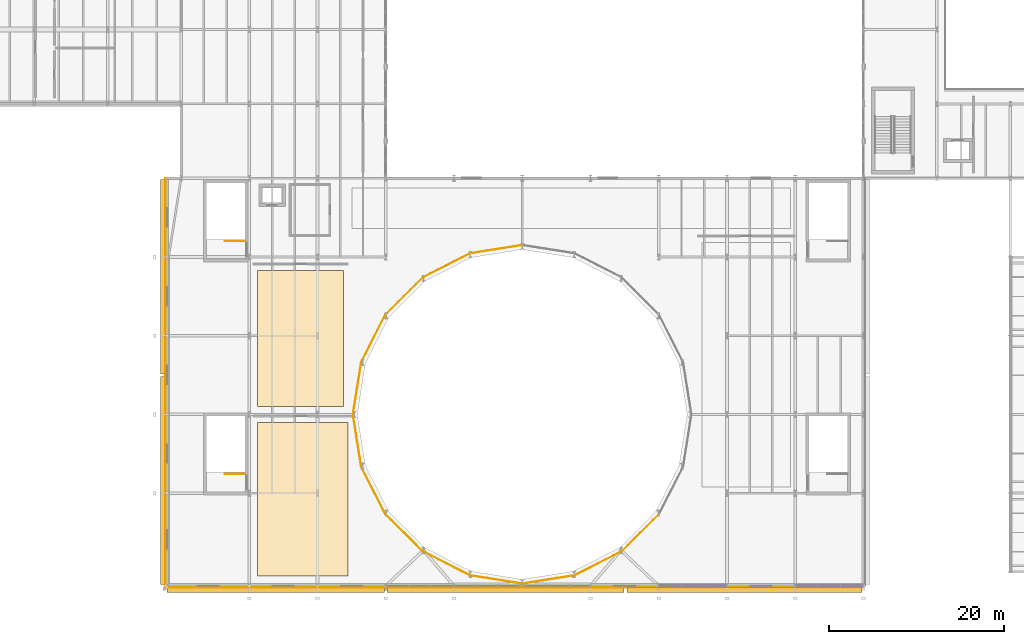
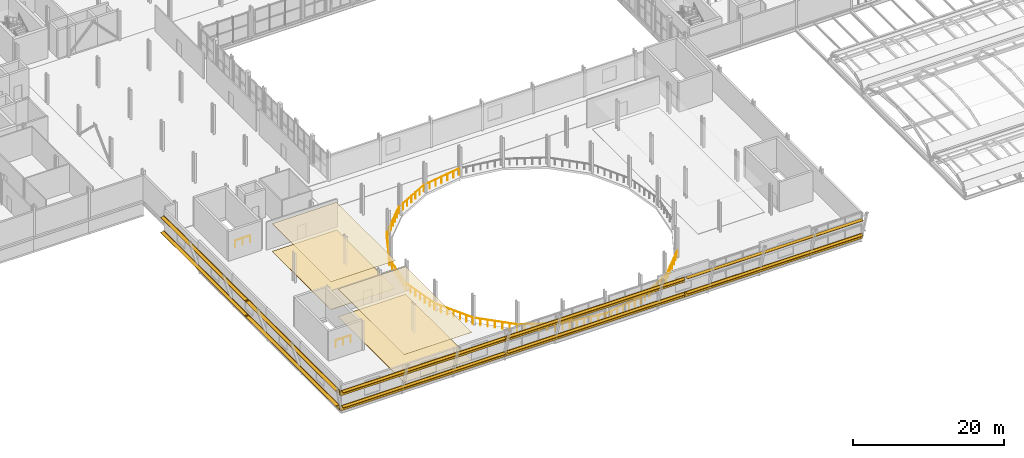
# One storey, part 56 of 63: 15 railings, 13 coverings, 10 shading devices.
"""IFC4 building model written with IfcOpenShell, lengths in metres."""

from ifc_helpers import new_model, si_unit, direction, frame, origin, origin_2d, place, context, subcontext, project, spatial, polyline, rectangle, circle, outline, extrude, material, layer, layer_set, type_object, element, save


model = new_model("IFC4")

# Units and contexts
model_context = context("Model", 3, precision=1e-05, world=origin(), true_north=direction((0.0, 1.0)))
body_context = subcontext(model_context, "Body", "Model", "MODEL_VIEW")
ifc_project = project(units=[si_unit("LENGTHUNIT", "METRE"), si_unit("AREAUNIT", "SQUARE_METRE"), si_unit("VOLUMEUNIT", "CUBIC_METRE"), si_unit("PLANEANGLEUNIT", "RADIAN"), si_unit("MASSUNIT", "GRAM", prefix="KILO")], contexts=[model_context])

# Site, building, storey
site_placement = place(None, origin())
site = spatial("IfcSite", under=ifc_project, at=site_placement, CompositionType="ELEMENT")
building_placement = place(site_placement, origin())
building = spatial("IfcBuilding", under=site, at=building_placement, Name="Sefraquen Railside Congress Hotel", CompositionType="ELEMENT")
storey_placement = place(building_placement, frame((0.0, 0.0, 11.39990234375)))
storey = spatial("IfcBuildingStorey", under=building, at=storey_placement, Name="L02", CompositionType="ELEMENT", Elevation=11.39990234375)

# Coverings
ifc_material_1 = material(Name="Acoustic mineral and carved plaster ceiling", Category="gypsum")
ifc_layer_1 = layer(ifc_material_1, 0.0400390625)
ifc_layer_set_1 = layer_set([ifc_layer_1], Name="Acoustic mineral and carved plaster ceiling")
covering_type_1 = type_object("IfcCoveringType", Name="TCV-CEIL-01", PredefinedType="CEILING", material=ifc_layer_set_1)
covering_1_placement = place(storey_placement, frame((0.0, 0.0, 4.47998046875)))
element("IfcCovering", 1, at=covering_1_placement, inside=storey, type_object=covering_type_1, Name="International Press Briefing Centre acoustic ceiling finish", PredefinedType="CEILING", context=body_context, shape_type="SweptSolid", body=[
    extrude(outline(polyline([(33.929931640625, 8.530029296875), (44.27001953125, 8.530029296875), (44.27001953125, 26.070068359375), (33.929931640625, 26.070068359375), (33.929931640625, 8.530029296875)])), origin(), (0.0, 0.0, 1.0), 0.0400390625),
])
covering_2_placement = place(storey_placement, frame((0.0, 0.0, 4.47998046875)))
element("IfcCovering", 2, at=covering_2_placement, inside=storey, type_object=covering_type_1, Name="Broadcast Control Room 01 acoustic ceiling finish", PredefinedType="CEILING", context=body_context, shape_type="SweptSolid", body=[
    extrude(outline(polyline([(33.929931640625, 27.929931640625), (43.77001953125, 27.929931640625), (43.77001953125, 43.469970703125), (33.929931640625, 43.469970703125), (33.929931640625, 27.929931640625)])), origin(), (0.0, 0.0, 1.0), 0.0400390625),
])
ifc_material_2 = material(Name="Patinated architectural bronze", Category="metal")
ifc_layer_2 = layer(ifc_material_2, 0.080078125)
ifc_layer_set_2 = layer_set([ifc_layer_2], Name="Patinated architectural bronze")
covering_type_2 = type_object("IfcCoveringType", Name="TCV-CLAD-01", PredefinedType="CLADDING", material=ifc_layer_set_2)
covering_3_placement = place(storey_placement, frame((36.01513671875, 7.23046875, -0.10498046875), z_axis=(0.0, 0.0, 1.0), x_axis=(1.0, 0.0, 0.0)))
element("IfcCovering", 3, at=covering_3_placement, inside=storey, type_object=covering_type_2, Name="Congress horizontal bronze cladding band L02-S1", PredefinedType="CLADDING", context=body_context, shape_type="SweptSolid", body=[
    extrude(rectangle(XDim=25.169677734375, YDim=0.080078125, at=origin_2d()), origin(), (0.0, 0.0, 1.0), 0.85009765625),
])
covering_4_placement = place(storey_placement, frame((62.300048828125, 7.23046875, -0.10498046875), z_axis=(0.0, 0.0, 1.0), x_axis=(1.0, 0.0, 0.0)))
element("IfcCovering", 4, at=covering_4_placement, inside=storey, type_object=covering_type_2, Name="Congress horizontal bronze cladding band L02-S2", PredefinedType="CLADDING", context=body_context, shape_type="SweptSolid", body=[
    extrude(rectangle(XDim=27.39990234375, YDim=0.080078125, at=origin_2d()), origin(), (0.0, 0.0, 1.0), 0.85009765625),
])
covering_5_placement = place(storey_placement, frame((89.60009765625, 7.23046875, -0.10498046875), z_axis=(0.0, 0.0, 1.0), x_axis=(1.0, 0.0, 0.0)))
element("IfcCovering", 5, at=covering_5_placement, inside=storey, type_object=covering_type_2, Name="Congress horizontal bronze cladding band L02-S3", PredefinedType="CLADDING", context=body_context, shape_type="SweptSolid", body=[
    extrude(rectangle(XDim=27.199951171875, YDim=0.080078125, at=origin_2d()), origin(), (0.0, 0.0, 1.0), 0.85009765625),
])
covering_6_placement = place(storey_placement, frame((23.430419921875, 19.4501953125, -0.10498046875), z_axis=(0.0, 0.0, 1.0), x_axis=(1.0, 0.0, 0.0)))
element("IfcCovering", 6, at=covering_6_placement, inside=storey, type_object=covering_type_2, Name="Congress horizontal bronze cladding band L02-W1", PredefinedType="CLADDING", context=body_context, shape_type="SweptSolid", body=[
    extrude(rectangle(XDim=0.080078125, YDim=24.099609375, at=origin_2d()), origin(), (0.0, 0.0, 1.0), 0.85009765625),
])
covering_7_placement = place(storey_placement, frame((23.430419921875, 42.75, -0.10498046875), z_axis=(0.0, 0.0, 1.0), x_axis=(1.0, 0.0, 0.0)))
element("IfcCovering", 7, at=covering_7_placement, inside=storey, type_object=covering_type_2, Name="Congress horizontal bronze cladding band L02-W2", PredefinedType="CLADDING", context=body_context, shape_type="SweptSolid", body=[
    extrude(rectangle(XDim=0.080078125, YDim=22.5, at=origin_2d()), origin(), (0.0, 0.0, 1.0), 0.85009765625),
])
covering_8_placement = place(storey_placement, frame((36.01513671875, 7.23046875, 2.324951171875), z_axis=(0.0, 0.0, 1.0), x_axis=(1.0, 0.0, 0.0)))
element("IfcCovering", 8, at=covering_8_placement, inside=storey, type_object=covering_type_2, Name="Congress horizontal bronze cladding band L02-S1-B", PredefinedType="CLADDING", context=body_context, shape_type="SweptSolid", body=[
    extrude(rectangle(XDim=25.169677734375, YDim=0.080078125, at=origin_2d()), origin(), (0.0, 0.0, 1.0), 0.85009765625),
])
covering_9_placement = place(storey_placement, frame((62.300048828125, 7.23046875, 2.324951171875), z_axis=(0.0, 0.0, 1.0), x_axis=(1.0, 0.0, 0.0)))
element("IfcCovering", 9, at=covering_9_placement, inside=storey, type_object=covering_type_2, Name="Congress horizontal bronze cladding band L02-S2-B", PredefinedType="CLADDING", context=body_context, shape_type="SweptSolid", body=[
    extrude(rectangle(XDim=27.39990234375, YDim=0.080078125, at=origin_2d()), origin(), (0.0, 0.0, 1.0), 0.85009765625),
])
covering_10_placement = place(storey_placement, frame((23.430419921875, 19.4501953125, 2.324951171875), z_axis=(0.0, 0.0, 1.0), x_axis=(1.0, 0.0, 0.0)))
element("IfcCovering", 10, at=covering_10_placement, inside=storey, type_object=covering_type_2, Name="Congress horizontal bronze cladding band L02-W1-B", PredefinedType="CLADDING", context=body_context, shape_type="SweptSolid", body=[
    extrude(rectangle(XDim=0.080078125, YDim=24.099609375, at=origin_2d()), origin(), (0.0, 0.0, 1.0), 0.85009765625),
])
covering_11_placement = place(storey_placement, frame((23.430419921875, 42.75, 2.324951171875), z_axis=(0.0, 0.0, 1.0), x_axis=(1.0, 0.0, 0.0)))
element("IfcCovering", 11, at=covering_11_placement, inside=storey, type_object=covering_type_2, Name="Congress horizontal bronze cladding band L02-W2-B", PredefinedType="CLADDING", context=body_context, shape_type="SweptSolid", body=[
    extrude(rectangle(XDim=0.080078125, YDim=22.5, at=origin_2d()), origin(), (0.0, 0.0, 1.0), 0.85009765625),
])
ifc_material_3 = material(Name="Moroccan zellige ceramic and honed stone flooring", Category="masonry")
ifc_layer_3 = layer(ifc_material_3, 0.0400390625)
ifc_layer_set_3 = layer_set([ifc_layer_3], Name="Moroccan zellige ceramic and honed stone flooring")
covering_type_3 = type_object("IfcCoveringType", Name="TCV-FLR-01", PredefinedType="FLOORING", material=ifc_layer_set_3)
covering_12_placement = place(storey_placement, origin())
element("IfcCovering", 12, at=covering_12_placement, inside=storey, type_object=covering_type_3, Name="International Press Briefing Centre architectural floor finish", PredefinedType="FLOORING", context=body_context, shape_type="SweptSolid", body=[
    extrude(outline(polyline([(33.929931640625, 8.530029296875), (44.27001953125, 8.530029296875), (44.27001953125, 26.070068359375), (33.929931640625, 26.070068359375), (33.929931640625, 8.530029296875)])), origin(), (0.0, 0.0, 1.0), 0.0400390625),
])
covering_13_placement = place(storey_placement, origin())
element("IfcCovering", 13, at=covering_13_placement, inside=storey, type_object=covering_type_3, Name="Broadcast Control Room 01 architectural floor finish", PredefinedType="FLOORING", context=body_context, shape_type="SweptSolid", body=[
    extrude(outline(polyline([(33.929931640625, 27.929931640625), (43.77001953125, 27.929931640625), (43.77001953125, 43.469970703125), (33.929931640625, 43.469970703125), (33.929931640625, 27.929931640625)])), origin(), (0.0, 0.0, 1.0), 0.0400390625),
])

# Railings
ifc_material_4 = material(Name="Patinated wrought architectural bronze", Category="metal")
railing_type = type_object("IfcRailingType", Name="TRL-BAL-110", PredefinedType="BALUSTRADE", material=ifc_material_4)
railing_1_placement = place(storey_placement, frame((64.199951171875, 46.35009765625, 0.0)))
element("IfcRailing", 14, at=railing_1_placement, inside=storey, type_object=railing_type, Name="Congress Hall L02 upper gallery acoustic guard", PredefinedType="BALUSTRADE", context=body_context, shape_type="SweptSolid", body=[
    extrude(circle(Radius=0.02392578125, at=origin_2d()), frame((0.0, 0.0, 1.09619140625), z_axis=(-0.987683054498, -0.156467836496, 0.0), x_axis=(0.156467836496, -0.987683054498, 0.0)), (0.0, 0.0, 1.0), 6.053955078125),
    extrude(circle(Radius=0.02099609375, at=origin_2d()), origin(), (0.0, 0.0, 1.0), 1.072021484375),
    extrude(circle(Radius=0.02099609375, at=origin_2d()), frame((-0.99658203125, -0.157958984375, 0.0)), (0.0, 0.0, 1.0), 1.072021484375),
    extrude(circle(Radius=0.02099609375, at=origin_2d()), frame((-1.9931640625, -0.315673828125, 0.0)), (0.0, 0.0, 1.0), 1.072021484375),
    extrude(circle(Radius=0.02099609375, at=origin_2d()), frame((-2.98974609375, -0.4736328125, 0.0)), (0.0, 0.0, 1.0), 1.072021484375),
    extrude(circle(Radius=0.02099609375, at=origin_2d()), frame((-3.986328125, -0.631591796875, 0.0)), (0.0, 0.0, 1.0), 1.072021484375),
    extrude(circle(Radius=0.02099609375, at=origin_2d()), frame((-4.98291015625, -0.789306640625, 0.0)), (0.0, 0.0, 1.0), 1.072021484375),
    extrude(circle(Radius=0.02099609375, at=origin_2d()), frame((-5.9794921875, -0.947265625, 0.0)), (0.0, 0.0, 1.0), 1.072021484375),
])
railing_2_placement = place(storey_placement, frame((58.220458984375, 45.40283203125, 0.0)))
element("IfcRailing", 15, at=railing_2_placement, inside=storey, type_object=railing_type, Name="Congress Hall L02 upper gallery acoustic guard", PredefinedType="BALUSTRADE", context=body_context, shape_type="SweptSolid", body=[
    extrude(circle(Radius=0.02392578125, at=origin_2d()), frame((0.0, 0.0, 1.09619140625), z_axis=(-0.891013951138, -0.453975923235, 0.0), x_axis=(0.453975923235, -0.891013951138, 0.0)), (0.0, 0.0, 1.0), 6.0537109375),
    extrude(circle(Radius=0.02099609375, at=origin_2d()), origin(), (0.0, 0.0, 1.0), 1.072021484375),
    extrude(circle(Radius=0.02099609375, at=origin_2d()), frame((-0.89892578125, -0.4580078125, 0.0)), (0.0, 0.0, 1.0), 1.072021484375),
    extrude(circle(Radius=0.02099609375, at=origin_2d()), frame((-1.798095703125, -0.916015625, 0.0)), (0.0, 0.0, 1.0), 1.072021484375),
    extrude(circle(Radius=0.02099609375, at=origin_2d()), frame((-2.697021484375, -1.3740234375, 0.0)), (0.0, 0.0, 1.0), 1.072021484375),
    extrude(circle(Radius=0.02099609375, at=origin_2d()), frame((-3.595947265625, -1.832275390625, 0.0)), (0.0, 0.0, 1.0), 1.072021484375),
    extrude(circle(Radius=0.02099609375, at=origin_2d()), frame((-4.4951171875, -2.290283203125, 0.0)), (0.0, 0.0, 1.0), 1.072021484375),
    extrude(circle(Radius=0.02099609375, at=origin_2d()), frame((-5.39404296875, -2.748291015625, 0.0)), (0.0, 0.0, 1.0), 1.072021484375),
])
railing_3_placement = place(storey_placement, frame((52.826416015625, 42.654541015625, 0.0)))
element("IfcRailing", 16, at=railing_3_placement, inside=storey, type_object=railing_type, Name="Congress Hall L02 upper gallery acoustic guard", PredefinedType="BALUSTRADE", context=body_context, shape_type="SweptSolid", body=[
    extrude(circle(Radius=0.02392578125, at=origin_2d()), frame((0.0, 0.0, 1.09619140625), z_axis=(-0.707106781187, -0.707106781187, 0.0), x_axis=(0.707106781187, -0.707106781187, 0.0)), (0.0, 0.0, 1.0), 6.05419921875),
    extrude(circle(Radius=0.02099609375, at=origin_2d()), origin(), (0.0, 0.0, 1.0), 1.072021484375),
    extrude(circle(Radius=0.02099609375, at=origin_2d()), frame((-0.71337890625, -0.71337890625, 0.0)), (0.0, 0.0, 1.0), 1.072021484375),
    extrude(circle(Radius=0.02099609375, at=origin_2d()), frame((-1.427001953125, -1.427001953125, 0.0)), (0.0, 0.0, 1.0), 1.072021484375),
    extrude(circle(Radius=0.02099609375, at=origin_2d()), frame((-2.140625, -2.140625, 0.0)), (0.0, 0.0, 1.0), 1.072021484375),
    extrude(circle(Radius=0.02099609375, at=origin_2d()), frame((-2.85400390625, -2.85400390625, 0.0)), (0.0, 0.0, 1.0), 1.072021484375),
    extrude(circle(Radius=0.02099609375, at=origin_2d()), frame((-3.5673828125, -3.5673828125, 0.0)), (0.0, 0.0, 1.0), 1.072021484375),
    extrude(circle(Radius=0.02099609375, at=origin_2d()), frame((-4.281005859375, -4.281005859375, 0.0)), (0.0, 0.0, 1.0), 1.072021484375),
])
railing_4_placement = place(storey_placement, frame((48.54541015625, 38.37353515625, 0.0)))
element("IfcRailing", 17, at=railing_4_placement, inside=storey, type_object=railing_type, Name="Congress Hall L02 upper gallery acoustic guard", PredefinedType="BALUSTRADE", context=body_context, shape_type="SweptSolid", body=[
    extrude(circle(Radius=0.02392578125, at=origin_2d()), frame((0.0, 0.0, 1.09619140625), z_axis=(-0.453975923235, -0.891013951138, 0.0), x_axis=(0.891013951138, -0.453975923235, 0.0)), (0.0, 0.0, 1.0), 6.0537109375),
    extrude(circle(Radius=0.02099609375, at=origin_2d()), origin(), (0.0, 0.0, 1.0), 1.072021484375),
    extrude(circle(Radius=0.02099609375, at=origin_2d()), frame((-0.4580078125, -0.89892578125, 0.0)), (0.0, 0.0, 1.0), 1.072021484375),
    extrude(circle(Radius=0.02099609375, at=origin_2d()), frame((-0.916015625, -1.798095703125, 0.0)), (0.0, 0.0, 1.0), 1.072021484375),
    extrude(circle(Radius=0.02099609375, at=origin_2d()), frame((-1.3740234375, -2.697021484375, 0.0)), (0.0, 0.0, 1.0), 1.072021484375),
    extrude(circle(Radius=0.02099609375, at=origin_2d()), frame((-1.832275390625, -3.595947265625, 0.0)), (0.0, 0.0, 1.0), 1.072021484375),
    extrude(circle(Radius=0.02099609375, at=origin_2d()), frame((-2.290283203125, -4.4951171875, 0.0)), (0.0, 0.0, 1.0), 1.072021484375),
    extrude(circle(Radius=0.02099609375, at=origin_2d()), frame((-2.748291015625, -5.39404296875, 0.0)), (0.0, 0.0, 1.0), 1.072021484375),
])
railing_5_placement = place(storey_placement, frame((45.797119140625, 32.9794921875, 0.0)))
element("IfcRailing", 18, at=railing_5_placement, inside=storey, type_object=railing_type, Name="Congress Hall L02 upper gallery acoustic guard", PredefinedType="BALUSTRADE", context=body_context, shape_type="SweptSolid", body=[
    extrude(circle(Radius=0.02392578125, at=origin_2d()), frame((0.0, 0.0, 1.09619140625), z_axis=(-0.156428496649, -0.987689285877, 0.0), x_axis=(0.987689285877, -0.156428496649, 0.0)), (0.0, 0.0, 1.0), 6.053955078125),
    extrude(circle(Radius=0.02099609375, at=origin_2d()), origin(), (0.0, 0.0, 1.0), 1.072021484375),
    extrude(circle(Radius=0.02099609375, at=origin_2d()), frame((-0.15771484375, -0.99658203125, 0.0)), (0.0, 0.0, 1.0), 1.072021484375),
    extrude(circle(Radius=0.02099609375, at=origin_2d()), frame((-0.315673828125, -1.9931640625, 0.0)), (0.0, 0.0, 1.0), 1.072021484375),
    extrude(circle(Radius=0.02099609375, at=origin_2d()), frame((-0.4736328125, -2.98974609375, 0.0)), (0.0, 0.0, 1.0), 1.072021484375),
    extrude(circle(Radius=0.02099609375, at=origin_2d()), frame((-0.63134765625, -3.986328125, 0.0)), (0.0, 0.0, 1.0), 1.072021484375),
    extrude(circle(Radius=0.02099609375, at=origin_2d()), frame((-0.7890625, -4.98291015625, 0.0)), (0.0, 0.0, 1.0), 1.072021484375),
    extrude(circle(Radius=0.02099609375, at=origin_2d()), frame((-0.947021484375, -5.9794921875, 0.0)), (0.0, 0.0, 1.0), 1.072021484375),
])
railing_6_placement = place(storey_placement, frame((44.85009765625, 27.0, 0.0)))
element("IfcRailing", 19, at=railing_6_placement, inside=storey, type_object=railing_type, Name="Congress Hall L02 upper gallery acoustic guard", PredefinedType="BALUSTRADE", context=body_context, shape_type="SweptSolid", body=[
    extrude(circle(Radius=0.02392578125, at=origin_2d()), frame((0.0, 0.0, 1.09619140625), z_axis=(0.156428496649, -0.987689285877, 0.0), x_axis=(0.987689285877, 0.156428496649, 0.0)), (0.0, 0.0, 1.0), 6.053955078125),
    extrude(circle(Radius=0.02099609375, at=origin_2d()), origin(), (0.0, 0.0, 1.0), 1.072021484375),
    extrude(circle(Radius=0.02099609375, at=origin_2d()), frame((0.15771484375, -0.99658203125, 0.0)), (0.0, 0.0, 1.0), 1.072021484375),
    extrude(circle(Radius=0.02099609375, at=origin_2d()), frame((0.315673828125, -1.9931640625, 0.0)), (0.0, 0.0, 1.0), 1.072021484375),
    extrude(circle(Radius=0.02099609375, at=origin_2d()), frame((0.4736328125, -2.98974609375, 0.0)), (0.0, 0.0, 1.0), 1.072021484375),
    extrude(circle(Radius=0.02099609375, at=origin_2d()), frame((0.63134765625, -3.986328125, 0.0)), (0.0, 0.0, 1.0), 1.072021484375),
    extrude(circle(Radius=0.02099609375, at=origin_2d()), frame((0.7890625, -4.98291015625, 0.0)), (0.0, 0.0, 1.0), 1.072021484375),
    extrude(circle(Radius=0.02099609375, at=origin_2d()), frame((0.947021484375, -5.9794921875, 0.0)), (0.0, 0.0, 1.0), 1.072021484375),
])
railing_7_placement = place(storey_placement, frame((45.797119140625, 21.0205078125, 0.0)))
element("IfcRailing", 20, at=railing_7_placement, inside=storey, type_object=railing_type, Name="Congress Hall L02 upper gallery acoustic guard", PredefinedType="BALUSTRADE", context=body_context, shape_type="SweptSolid", body=[
    extrude(circle(Radius=0.02392578125, at=origin_2d()), frame((0.0, 0.0, 1.09619140625), z_axis=(0.453975923235, -0.891013951138, 0.0), x_axis=(0.891013951138, 0.453975923235, 0.0)), (0.0, 0.0, 1.0), 6.0537109375),
    extrude(circle(Radius=0.02099609375, at=origin_2d()), origin(), (0.0, 0.0, 1.0), 1.072021484375),
    extrude(circle(Radius=0.02099609375, at=origin_2d()), frame((0.4580078125, -0.89892578125, 0.0)), (0.0, 0.0, 1.0), 1.072021484375),
    extrude(circle(Radius=0.02099609375, at=origin_2d()), frame((0.916015625, -1.798095703125, 0.0)), (0.0, 0.0, 1.0), 1.072021484375),
    extrude(circle(Radius=0.02099609375, at=origin_2d()), frame((1.3740234375, -2.697021484375, 0.0)), (0.0, 0.0, 1.0), 1.072021484375),
    extrude(circle(Radius=0.02099609375, at=origin_2d()), frame((1.832275390625, -3.595947265625, 0.0)), (0.0, 0.0, 1.0), 1.072021484375),
    extrude(circle(Radius=0.02099609375, at=origin_2d()), frame((2.290283203125, -4.4951171875, 0.0)), (0.0, 0.0, 1.0), 1.072021484375),
    extrude(circle(Radius=0.02099609375, at=origin_2d()), frame((2.748291015625, -5.39404296875, 0.0)), (0.0, 0.0, 1.0), 1.072021484375),
])
railing_8_placement = place(storey_placement, frame((48.54541015625, 15.62646484375, 0.0)))
element("IfcRailing", 21, at=railing_8_placement, inside=storey, type_object=railing_type, Name="Congress Hall L02 upper gallery acoustic guard", PredefinedType="BALUSTRADE", context=body_context, shape_type="SweptSolid", body=[
    extrude(circle(Radius=0.02392578125, at=origin_2d()), frame((0.0, 0.0, 1.09619140625), z_axis=(0.707106781187, -0.707106781187, 0.0), x_axis=(0.707106781187, 0.707106781187, 0.0)), (0.0, 0.0, 1.0), 6.05419921875),
    extrude(circle(Radius=0.02099609375, at=origin_2d()), origin(), (0.0, 0.0, 1.0), 1.072021484375),
    extrude(circle(Radius=0.02099609375, at=origin_2d()), frame((0.71337890625, -0.71337890625, 0.0)), (0.0, 0.0, 1.0), 1.072021484375),
    extrude(circle(Radius=0.02099609375, at=origin_2d()), frame((1.427001953125, -1.427001953125, 0.0)), (0.0, 0.0, 1.0), 1.072021484375),
    extrude(circle(Radius=0.02099609375, at=origin_2d()), frame((2.140625, -2.140625, 0.0)), (0.0, 0.0, 1.0), 1.072021484375),
    extrude(circle(Radius=0.02099609375, at=origin_2d()), frame((2.85400390625, -2.85400390625, 0.0)), (0.0, 0.0, 1.0), 1.072021484375),
    extrude(circle(Radius=0.02099609375, at=origin_2d()), frame((3.5673828125, -3.5673828125, 0.0)), (0.0, 0.0, 1.0), 1.072021484375),
    extrude(circle(Radius=0.02099609375, at=origin_2d()), frame((4.281005859375, -4.281005859375, 0.0)), (0.0, 0.0, 1.0), 1.072021484375),
])
railing_9_placement = place(storey_placement, frame((52.826416015625, 11.345458984375, 0.0)))
element("IfcRailing", 22, at=railing_9_placement, inside=storey, type_object=railing_type, Name="Congress Hall L02 upper gallery acoustic guard", PredefinedType="BALUSTRADE", context=body_context, shape_type="SweptSolid", body=[
    extrude(circle(Radius=0.02392578125, at=origin_2d()), frame((0.0, 0.0, 1.09619140625), z_axis=(0.891013951138, -0.453975923235, 0.0), x_axis=(0.453975923235, 0.891013951138, 0.0)), (0.0, 0.0, 1.0), 6.0537109375),
    extrude(circle(Radius=0.02099609375, at=origin_2d()), origin(), (0.0, 0.0, 1.0), 1.072021484375),
    extrude(circle(Radius=0.02099609375, at=origin_2d()), frame((0.89892578125, -0.4580078125, 0.0)), (0.0, 0.0, 1.0), 1.072021484375),
    extrude(circle(Radius=0.02099609375, at=origin_2d()), frame((1.798095703125, -0.916015625, 0.0)), (0.0, 0.0, 1.0), 1.072021484375),
    extrude(circle(Radius=0.02099609375, at=origin_2d()), frame((2.697021484375, -1.3740234375, 0.0)), (0.0, 0.0, 1.0), 1.072021484375),
    extrude(circle(Radius=0.02099609375, at=origin_2d()), frame((3.595947265625, -1.832275390625, 0.0)), (0.0, 0.0, 1.0), 1.072021484375),
    extrude(circle(Radius=0.02099609375, at=origin_2d()), frame((4.4951171875, -2.290283203125, 0.0)), (0.0, 0.0, 1.0), 1.072021484375),
    extrude(circle(Radius=0.02099609375, at=origin_2d()), frame((5.39404296875, -2.748291015625, 0.0)), (0.0, 0.0, 1.0), 1.072021484375),
])
railing_10_placement = place(storey_placement, frame((58.220458984375, 8.59716796875, 0.0)))
element("IfcRailing", 23, at=railing_10_placement, inside=storey, type_object=railing_type, Name="Congress Hall L02 upper gallery acoustic guard", PredefinedType="BALUSTRADE", context=body_context, shape_type="SweptSolid", body=[
    extrude(circle(Radius=0.02392578125, at=origin_2d()), frame((0.0, 0.0, 1.09619140625), z_axis=(0.987683054498, -0.156467836496, 0.0), x_axis=(0.156467836496, 0.987683054498, 0.0)), (0.0, 0.0, 1.0), 6.053955078125),
    extrude(circle(Radius=0.02099609375, at=origin_2d()), origin(), (0.0, 0.0, 1.0), 1.072021484375),
    extrude(circle(Radius=0.02099609375, at=origin_2d()), frame((0.99658203125, -0.157958984375, 0.0)), (0.0, 0.0, 1.0), 1.072021484375),
    extrude(circle(Radius=0.02099609375, at=origin_2d()), frame((1.9931640625, -0.315673828125, 0.0)), (0.0, 0.0, 1.0), 1.072021484375),
    extrude(circle(Radius=0.02099609375, at=origin_2d()), frame((2.98974609375, -0.4736328125, 0.0)), (0.0, 0.0, 1.0), 1.072021484375),
    extrude(circle(Radius=0.02099609375, at=origin_2d()), frame((3.986328125, -0.631591796875, 0.0)), (0.0, 0.0, 1.0), 1.072021484375),
    extrude(circle(Radius=0.02099609375, at=origin_2d()), frame((4.98291015625, -0.789306640625, 0.0)), (0.0, 0.0, 1.0), 1.072021484375),
    extrude(circle(Radius=0.02099609375, at=origin_2d()), frame((5.9794921875, -0.947265625, 0.0)), (0.0, 0.0, 1.0), 1.072021484375),
])
railing_11_placement = place(storey_placement, frame((64.199951171875, 7.64990234375, 0.0)))
element("IfcRailing", 24, at=railing_11_placement, inside=storey, type_object=railing_type, Name="Congress Hall L02 upper gallery acoustic guard", PredefinedType="BALUSTRADE", context=body_context, shape_type="SweptSolid", body=[
    extrude(circle(Radius=0.02392578125, at=origin_2d()), frame((0.0, 0.0, 1.09619140625), z_axis=(0.987683054498, 0.156467836496, 0.0), x_axis=(-0.156467836496, 0.987683054498, 0.0)), (0.0, 0.0, 1.0), 6.053955078125),
    extrude(circle(Radius=0.02099609375, at=origin_2d()), origin(), (0.0, 0.0, 1.0), 1.072021484375),
    extrude(circle(Radius=0.02099609375, at=origin_2d()), frame((0.99658203125, 0.157958984375, 0.0)), (0.0, 0.0, 1.0), 1.072021484375),
    extrude(circle(Radius=0.02099609375, at=origin_2d()), frame((1.9931640625, 0.315673828125, 0.0)), (0.0, 0.0, 1.0), 1.072021484375),
    extrude(circle(Radius=0.02099609375, at=origin_2d()), frame((2.98974609375, 0.4736328125, 0.0)), (0.0, 0.0, 1.0), 1.072021484375),
    extrude(circle(Radius=0.02099609375, at=origin_2d()), frame((3.986328125, 0.631591796875, 0.0)), (0.0, 0.0, 1.0), 1.072021484375),
    extrude(circle(Radius=0.02099609375, at=origin_2d()), frame((4.98291015625, 0.789306640625, 0.0)), (0.0, 0.0, 1.0), 1.072021484375),
    extrude(circle(Radius=0.02099609375, at=origin_2d()), frame((5.9794921875, 0.947265625, 0.0)), (0.0, 0.0, 1.0), 1.072021484375),
])
railing_12_placement = place(storey_placement, frame((70.179443359375, 8.59716796875, 0.0)))
element("IfcRailing", 25, at=railing_12_placement, inside=storey, type_object=railing_type, Name="Congress Hall L02 upper gallery acoustic guard", PredefinedType="BALUSTRADE", context=body_context, shape_type="SweptSolid", body=[
    extrude(circle(Radius=0.02392578125, at=origin_2d()), frame((0.0, 0.0, 1.09619140625), z_axis=(0.891013951138, 0.453975923235, 0.0), x_axis=(-0.453975923235, 0.891013951138, 0.0)), (0.0, 0.0, 1.0), 6.0537109375),
    extrude(circle(Radius=0.02099609375, at=origin_2d()), origin(), (0.0, 0.0, 1.0), 1.072021484375),
    extrude(circle(Radius=0.02099609375, at=origin_2d()), frame((0.89892578125, 0.4580078125, 0.0)), (0.0, 0.0, 1.0), 1.072021484375),
    extrude(circle(Radius=0.02099609375, at=origin_2d()), frame((1.798095703125, 0.916015625, 0.0)), (0.0, 0.0, 1.0), 1.072021484375),
    extrude(circle(Radius=0.02099609375, at=origin_2d()), frame((2.697021484375, 1.3740234375, 0.0)), (0.0, 0.0, 1.0), 1.072021484375),
    extrude(circle(Radius=0.02099609375, at=origin_2d()), frame((3.595947265625, 1.832275390625, 0.0)), (0.0, 0.0, 1.0), 1.072021484375),
    extrude(circle(Radius=0.02099609375, at=origin_2d()), frame((4.4951171875, 2.290283203125, 0.0)), (0.0, 0.0, 1.0), 1.072021484375),
    extrude(circle(Radius=0.02099609375, at=origin_2d()), frame((5.39404296875, 2.748291015625, 0.0)), (0.0, 0.0, 1.0), 1.072021484375),
])
railing_13_placement = place(storey_placement, frame((75.573486328125, 11.345458984375, 0.0)))
element("IfcRailing", 26, at=railing_13_placement, inside=storey, type_object=railing_type, Name="Congress Hall L02 upper gallery acoustic guard", PredefinedType="BALUSTRADE", context=body_context, shape_type="SweptSolid", body=[
    extrude(circle(Radius=0.02392578125, at=origin_2d()), frame((0.0, 0.0, 1.09619140625), z_axis=(0.707106781187, 0.707106781187, 0.0), x_axis=(-0.707106781187, 0.707106781187, 0.0)), (0.0, 0.0, 1.0), 6.05419921875),
    extrude(circle(Radius=0.02099609375, at=origin_2d()), origin(), (0.0, 0.0, 1.0), 1.072021484375),
    extrude(circle(Radius=0.02099609375, at=origin_2d()), frame((0.71337890625, 0.71337890625, 0.0)), (0.0, 0.0, 1.0), 1.072021484375),
    extrude(circle(Radius=0.02099609375, at=origin_2d()), frame((1.427001953125, 1.427001953125, 0.0)), (0.0, 0.0, 1.0), 1.072021484375),
    extrude(circle(Radius=0.02099609375, at=origin_2d()), frame((2.140625, 2.140625, 0.0)), (0.0, 0.0, 1.0), 1.072021484375),
    extrude(circle(Radius=0.02099609375, at=origin_2d()), frame((2.85400390625, 2.85400390625, 0.0)), (0.0, 0.0, 1.0), 1.072021484375),
    extrude(circle(Radius=0.02099609375, at=origin_2d()), frame((3.5673828125, 3.5673828125, 0.0)), (0.0, 0.0, 1.0), 1.072021484375),
    extrude(circle(Radius=0.02099609375, at=origin_2d()), frame((4.281005859375, 4.281005859375, 0.0)), (0.0, 0.0, 1.0), 1.072021484375),
])
for number, where, name in (
    (27, (32.5, 20.2099609375, 0.0), "L02 ST-C01 top well guard 1"),
    (28, (32.5, 46.800048828125, 0.0), "L02 ST-C02 top well guard 1"),
):
    element("IfcRailing", number, at=place(storey_placement, frame(where)), inside=storey, type_object=railing_type, Name=name, PredefinedType="BALUSTRADE", context=body_context, shape_type="SweptSolid", body=[
        extrude(circle(Radius=0.02392578125, at=origin_2d()), frame((0.0, 0.0, 1.076171875), z_axis=(-1.0, 0.0, 0.0), x_axis=(0.0, -1.0, 0.0)), (0.0, 0.0, 1.0), 2.300048828125),
        extrude(circle(Radius=0.02099609375, at=origin_2d()), origin(), (0.0, 0.0, 1.0), 1.052001953125),
        extrude(circle(Radius=0.02099609375, at=origin_2d()), frame((-1.14990234375, 0.0, 0.0)), (0.0, 0.0, 1.0), 1.052001953125),
        extrude(circle(Radius=0.02099609375, at=origin_2d()), frame((-2.300048828125, 0.0, 0.0)), (0.0, 0.0, 1.0), 1.052001953125),
    ])

# Shading devices
ifc_layer_4 = layer(ifc_material_2, 0.06005859375)
ifc_layer_set_4 = layer_set([ifc_layer_4], Name="Patinated architectural bronze")
shading_device_type = type_object("IfcShadingDeviceType", Name="TSH-BS-01", PredefinedType="USERDEFINED", material=ifc_layer_set_4)
shading_device_1_placement = place(storey_placement, frame((36.01513671875, 6.930419921875, 0.64013671875), z_axis=(0.0, 0.0, 1.0), x_axis=(1.0, 0.0, 0.0)))
element("IfcShadingDevice", 29, at=shading_device_1_placement, inside=storey, type_object=shading_device_type, Name="Congress horizontal brise-soleil L02-S1", ObjectType="BRISE SOLEIL", PredefinedType="USERDEFINED", context=body_context, shape_type="SweptSolid", body=[
    extrude(rectangle(XDim=24.86962890625, YDim=0.550048828125, at=origin_2d()), origin(), (0.0, 0.0, 1.0), 0.06005859375),
])
shading_device_2_placement = place(storey_placement, frame((62.300048828125, 6.930419921875, 0.64013671875), z_axis=(0.0, 0.0, 1.0), x_axis=(1.0, 0.0, 0.0)))
element("IfcShadingDevice", 30, at=shading_device_2_placement, inside=storey, type_object=shading_device_type, Name="Congress horizontal brise-soleil L02-S2", ObjectType="BRISE SOLEIL", PredefinedType="USERDEFINED", context=body_context, shape_type="SweptSolid", body=[
    extrude(rectangle(XDim=27.10009765625, YDim=0.550048828125, at=origin_2d()), origin(), (0.0, 0.0, 1.0), 0.06005859375),
])
shading_device_3_placement = place(storey_placement, frame((89.60009765625, 6.930419921875, 0.64013671875), z_axis=(0.0, 0.0, 1.0), x_axis=(1.0, 0.0, 0.0)))
element("IfcShadingDevice", 31, at=shading_device_3_placement, inside=storey, type_object=shading_device_type, Name="Congress horizontal brise-soleil L02-S3", ObjectType="BRISE SOLEIL", PredefinedType="USERDEFINED", context=body_context, shape_type="SweptSolid", body=[
    extrude(rectangle(XDim=26.89990234375, YDim=0.550048828125, at=origin_2d()), origin(), (0.0, 0.0, 1.0), 0.06005859375),
])
shading_device_4_placement = place(storey_placement, frame((23.13037109375, 19.4501953125, 0.64013671875), z_axis=(0.0, 0.0, 1.0), x_axis=(1.0, 0.0, 0.0)))
element("IfcShadingDevice", 32, at=shading_device_4_placement, inside=storey, type_object=shading_device_type, Name="Congress west sun-shading louvre L02-W1", ObjectType="BRISE SOLEIL", PredefinedType="USERDEFINED", context=body_context, shape_type="SweptSolid", body=[
    extrude(rectangle(XDim=0.550048828125, YDim=23.799560546875, at=origin_2d()), origin(), (0.0, 0.0, 1.0), 0.06005859375),
])
shading_device_5_placement = place(storey_placement, frame((23.13037109375, 42.75, 0.64013671875), z_axis=(0.0, 0.0, 1.0), x_axis=(1.0, 0.0, 0.0)))
element("IfcShadingDevice", 33, at=shading_device_5_placement, inside=storey, type_object=shading_device_type, Name="Congress west sun-shading louvre L02-W2", ObjectType="BRISE SOLEIL", PredefinedType="USERDEFINED", context=body_context, shape_type="SweptSolid", body=[
    extrude(rectangle(XDim=0.550048828125, YDim=22.199951171875, at=origin_2d()), origin(), (0.0, 0.0, 1.0), 0.06005859375),
])
shading_device_6_placement = place(storey_placement, frame((36.01513671875, 6.930419921875, 3.070068359375), z_axis=(0.0, 0.0, 1.0), x_axis=(1.0, 0.0, 0.0)))
element("IfcShadingDevice", 34, at=shading_device_6_placement, inside=storey, type_object=shading_device_type, Name="Congress horizontal brise-soleil L02-S1-B", ObjectType="BRISE SOLEIL", PredefinedType="USERDEFINED", context=body_context, shape_type="SweptSolid", body=[
    extrude(rectangle(XDim=24.86962890625, YDim=0.550048828125, at=origin_2d()), origin(), (0.0, 0.0, 1.0), 0.06005859375),
])
shading_device_7_placement = place(storey_placement, frame((62.300048828125, 6.930419921875, 3.070068359375), z_axis=(0.0, 0.0, 1.0), x_axis=(1.0, 0.0, 0.0)))
element("IfcShadingDevice", 35, at=shading_device_7_placement, inside=storey, type_object=shading_device_type, Name="Congress horizontal brise-soleil L02-S2-B", ObjectType="BRISE SOLEIL", PredefinedType="USERDEFINED", context=body_context, shape_type="SweptSolid", body=[
    extrude(rectangle(XDim=27.10009765625, YDim=0.550048828125, at=origin_2d()), origin(), (0.0, 0.0, 1.0), 0.06005859375),
])
shading_device_8_placement = place(storey_placement, frame((89.60009765625, 6.930419921875, 3.070068359375), z_axis=(0.0, 0.0, 1.0), x_axis=(1.0, 0.0, 0.0)))
element("IfcShadingDevice", 36, at=shading_device_8_placement, inside=storey, type_object=shading_device_type, Name="Congress horizontal brise-soleil L02-S3-B", ObjectType="BRISE SOLEIL", PredefinedType="USERDEFINED", context=body_context, shape_type="SweptSolid", body=[
    extrude(rectangle(XDim=26.89990234375, YDim=0.550048828125, at=origin_2d()), origin(), (0.0, 0.0, 1.0), 0.06005859375),
])
shading_device_9_placement = place(storey_placement, frame((23.13037109375, 19.4501953125, 3.070068359375), z_axis=(0.0, 0.0, 1.0), x_axis=(1.0, 0.0, 0.0)))
element("IfcShadingDevice", 37, at=shading_device_9_placement, inside=storey, type_object=shading_device_type, Name="Congress west sun-shading louvre L02-W1-B", ObjectType="BRISE SOLEIL", PredefinedType="USERDEFINED", context=body_context, shape_type="SweptSolid", body=[
    extrude(rectangle(XDim=0.550048828125, YDim=23.799560546875, at=origin_2d()), origin(), (0.0, 0.0, 1.0), 0.06005859375),
])
shading_device_10_placement = place(storey_placement, frame((23.13037109375, 42.75, 3.070068359375), z_axis=(0.0, 0.0, 1.0), x_axis=(1.0, 0.0, 0.0)))
element("IfcShadingDevice", 38, at=shading_device_10_placement, inside=storey, type_object=shading_device_type, Name="Congress west sun-shading louvre L02-W2-B", ObjectType="BRISE SOLEIL", PredefinedType="USERDEFINED", context=body_context, shape_type="SweptSolid", body=[
    extrude(rectangle(XDim=0.550048828125, YDim=22.199951171875, at=origin_2d()), origin(), (0.0, 0.0, 1.0), 0.06005859375),
])

save(model, "model.ifc")
